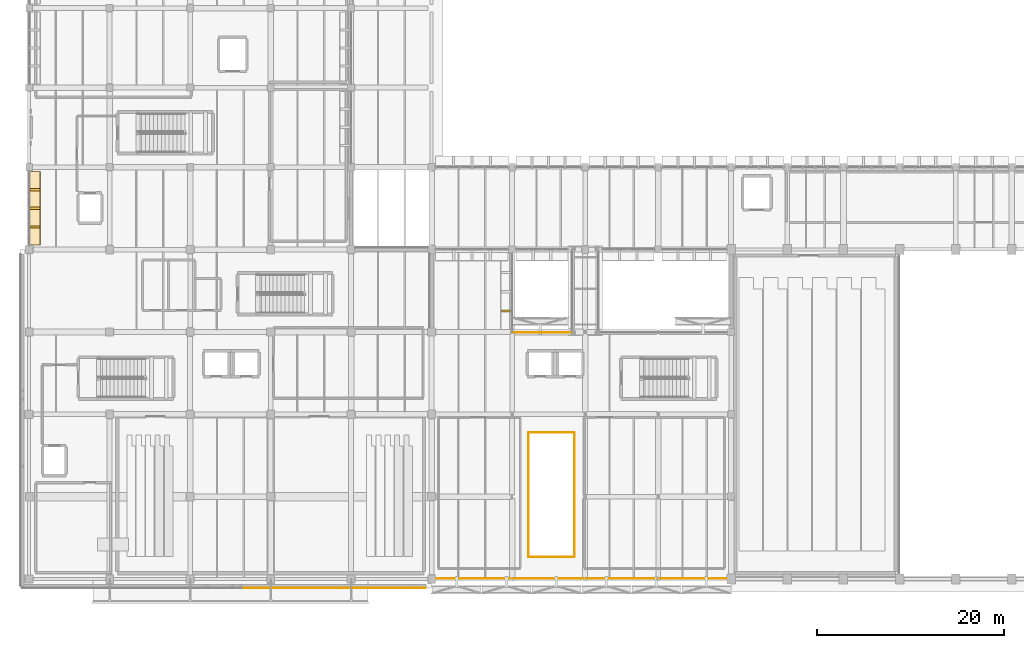
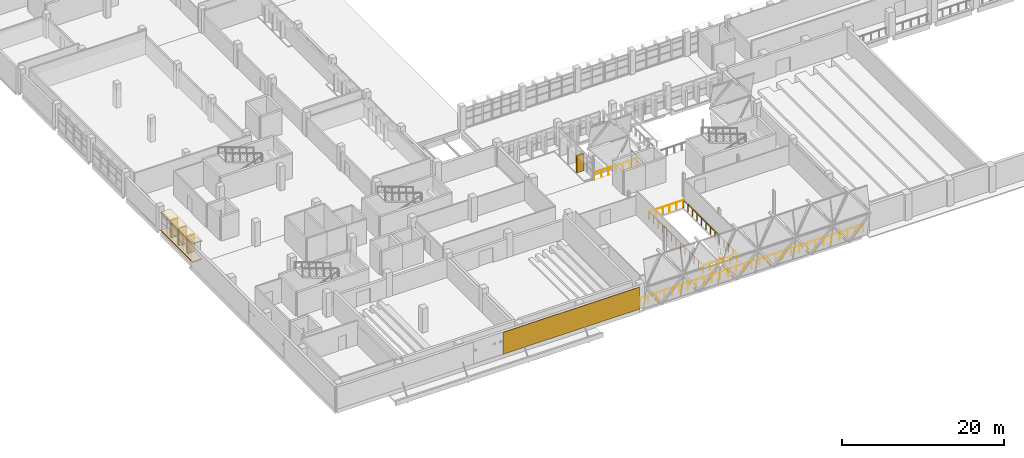
# One storey, part 71 of 80: 6 railings, 4 shading devices, 3 coverings.
"""IFC4 building model written with IfcOpenShell, lengths in metres."""

from ifc_helpers import new_model, si_unit, direction, frame, origin, origin_2d, place, context, subcontext, project, spatial, polyline, rectangle, circle, outline, extrude, material, layer, layer_set, type_object, element, save


model = new_model("IFC4")

# Units and contexts
model_context = context("Model", 3, precision=1e-05, world=origin(), true_north=direction((0.0, 1.0)))
body_context = subcontext(model_context, "Body", "Model", "MODEL_VIEW")
ifc_project = project(units=[si_unit("LENGTHUNIT", "METRE"), si_unit("AREAUNIT", "SQUARE_METRE"), si_unit("VOLUMEUNIT", "CUBIC_METRE"), si_unit("PLANEANGLEUNIT", "RADIAN"), si_unit("MASSUNIT", "GRAM", prefix="KILO")], contexts=[model_context])

# Site, building, storey
site_placement = place(None, origin())
site = spatial("IfcSite", under=ifc_project, at=site_placement, CompositionType="ELEMENT")
building_placement = place(site_placement, origin())
building = spatial("IfcBuilding", under=site, at=building_placement, Name="Varnakota Cinema and Media Centre", CompositionType="ELEMENT")
storey_placement = place(building_placement, frame((0.0, 0.0, 4.5)))
storey = spatial("IfcBuildingStorey", under=building, at=storey_placement, Name="L01", CompositionType="ELEMENT", Elevation=4.5)

# Coverings
ifc_material_1 = material(Name="Precast concrete M40", Category="concrete")
ifc_layer_1 = layer(ifc_material_1, 0.159912109375)
ifc_layer_set_1 = layer_set([ifc_layer_1], Name="Precast concrete M40")
covering_type_1 = type_object("IfcCoveringType", Name="COV-CHAJJA-160", PredefinedType="CLADDING", material=ifc_layer_set_1)
covering_1_placement = place(storey_placement, frame((0.0, 0.0, 2.72509765625)))
element("IfcCovering", 1, at=covering_1_placement, inside=storey, type_object=covering_type_1, Name="L01 Brutalist chajja overhang V5-W-5", PredefinedType="CLADDING", context=body_context, shape_type="SweptSolid", body=[
    extrude(outline(polyline([(-0.179931640625, 43.56005859375), (-0.179931640625, 35.6650390625), (1.219970703125, 35.6650390625), (1.219970703125, 43.56005859375), (-0.179931640625, 43.56005859375)])), origin(), (0.0, 0.0, 1.0), 0.159912109375),
])
covering_2_placement = place(storey_placement, origin())
element("IfcCovering", 2, at=covering_2_placement, inside=storey, type_object=covering_type_1, Name="L01 brise-soleil base plinth V5-W-5", PredefinedType="CLADDING", context=body_context, shape_type="SweptSolid", body=[
    extrude(outline(polyline([(-0.179931640625, 43.56005859375), (-0.179931640625, 35.6650390625), (1.179931640625, 35.6650390625), (1.179931640625, 43.56005859375), (-0.179931640625, 43.56005859375)])), origin(), (0.0, 0.0, 1.0), 0.159912109375),
])
ifc_material_2 = material(Name="Pale Tandur limestone cladding", Category="masonry")
ifc_layer_2 = layer(ifc_material_2, 0.06005859375)
ifc_layer_set_2 = layer_set([ifc_layer_2], Name="Pale Tandur limestone cladding")
covering_type_2 = type_object("IfcCoveringType", Name="COV-TANDUR-ASHLAR-60", PredefinedType="CLADDING", material=ifc_layer_set_2)
covering_3_placement = place(storey_placement, frame((32.675048828125, -0.945068359375, 0.330078125), z_axis=(0.0, 0.0, 1.0), x_axis=(-1.0, 0.0, 0.0)))
element("IfcCovering", 3, at=covering_3_placement, inside=storey, type_object=covering_type_2, Name="L01 V4 pale Tandur stone left corner ashlar V4-S", PredefinedType="CLADDING", context=body_context, shape_type="SweptSolid", body=[
    extrude(rectangle(XDim=19.449951171875, YDim=0.06005859375, at=origin_2d()), origin(), (0.0, 0.0, 1.0), 3.320068359375),
])

# Railings
ifc_material_3 = material(Name="Anodised golden-bronze steel Grade 350 (E350)", Category="steel")
ifc_layer_3 = layer(ifc_material_3, 0.050048828125)
ifc_layer_set_3 = layer_set([ifc_layer_3], Name="Anodised golden-bronze steel Grade 350 (E350)")
railing_type = type_object("IfcRailingType", Name="RAIL-GUARD-1150", PredefinedType="BALUSTRADE", material=ifc_layer_set_3)
railing_1_placement = place(storey_placement, frame((43.110107421875, 0.080078125, 0.0)))
element("IfcRailing", 4, at=railing_1_placement, inside=storey, type_object=railing_type, Name="L01 guard balustrade GRD-V6GAL-S-L01-1", PredefinedType="BALUSTRADE", context=body_context, shape_type="SweptSolid", body=[
    extrude(circle(Radius=0.02392578125, at=origin_2d()), frame((0.0, 0.0, 1.1259765625), z_axis=(1.0, 0.0, 0.0), x_axis=(0.0, 1.0, 0.0)), (0.0, 0.0, 1.0), 31.77978515625),
    extrude(circle(Radius=0.02099609375, at=origin_2d()), origin(), (0.0, 0.0, 1.0), 1.101806640625),
    extrude(circle(Radius=0.02099609375, at=origin_2d()), frame((1.135009765625, 0.0, 0.0)), (0.0, 0.0, 1.0), 1.101806640625),
    extrude(circle(Radius=0.02099609375, at=origin_2d()), frame((2.27001953125, 0.0, 0.0)), (0.0, 0.0, 1.0), 1.101806640625),
    extrude(circle(Radius=0.02099609375, at=origin_2d()), frame((3.405029296875, 0.0, 0.0)), (0.0, 0.0, 1.0), 1.101806640625),
    extrude(circle(Radius=0.02099609375, at=origin_2d()), frame((4.5400390625, 0.0, 0.0)), (0.0, 0.0, 1.0), 1.101806640625),
    extrude(circle(Radius=0.02099609375, at=origin_2d()), frame((5.675048828125, 0.0, 0.0)), (0.0, 0.0, 1.0), 1.101806640625),
    extrude(circle(Radius=0.02099609375, at=origin_2d()), frame((6.81005859375, 0.0, 0.0)), (0.0, 0.0, 1.0), 1.101806640625),
    extrude(circle(Radius=0.02099609375, at=origin_2d()), frame((7.94482421875, 0.0, 0.0)), (0.0, 0.0, 1.0), 1.101806640625),
    extrude(circle(Radius=0.02099609375, at=origin_2d()), frame((9.079833984375, 0.0, 0.0)), (0.0, 0.0, 1.0), 1.101806640625),
    extrude(circle(Radius=0.02099609375, at=origin_2d()), frame((10.21484375, 0.0, 0.0)), (0.0, 0.0, 1.0), 1.101806640625),
    extrude(circle(Radius=0.02099609375, at=origin_2d()), frame((11.349853515625, 0.0, 0.0)), (0.0, 0.0, 1.0), 1.101806640625),
    extrude(circle(Radius=0.02099609375, at=origin_2d()), frame((12.48486328125, 0.0, 0.0)), (0.0, 0.0, 1.0), 1.101806640625),
    extrude(circle(Radius=0.02099609375, at=origin_2d()), frame((13.619873046875, 0.0, 0.0)), (0.0, 0.0, 1.0), 1.101806640625),
    extrude(circle(Radius=0.02099609375, at=origin_2d()), frame((14.7548828125, 0.0, 0.0)), (0.0, 0.0, 1.0), 1.101806640625),
    extrude(circle(Radius=0.02099609375, at=origin_2d()), frame((15.889892578125, 0.0, 0.0)), (0.0, 0.0, 1.0), 1.101806640625),
    extrude(circle(Radius=0.02099609375, at=origin_2d()), frame((17.02490234375, 0.0, 0.0)), (0.0, 0.0, 1.0), 1.101806640625),
    extrude(circle(Radius=0.02099609375, at=origin_2d()), frame((18.159912109375, 0.0, 0.0)), (0.0, 0.0, 1.0), 1.101806640625),
    extrude(circle(Radius=0.02099609375, at=origin_2d()), frame((19.294921875, 0.0, 0.0)), (0.0, 0.0, 1.0), 1.101806640625),
    extrude(circle(Radius=0.02099609375, at=origin_2d()), frame((20.429931640625, 0.0, 0.0)), (0.0, 0.0, 1.0), 1.101806640625),
    extrude(circle(Radius=0.02099609375, at=origin_2d()), frame((21.56494140625, 0.0, 0.0)), (0.0, 0.0, 1.0), 1.101806640625),
    extrude(circle(Radius=0.02099609375, at=origin_2d()), frame((22.699951171875, 0.0, 0.0)), (0.0, 0.0, 1.0), 1.101806640625),
    extrude(circle(Radius=0.02099609375, at=origin_2d()), frame((23.8349609375, 0.0, 0.0)), (0.0, 0.0, 1.0), 1.101806640625),
    extrude(circle(Radius=0.02099609375, at=origin_2d()), frame((24.9697265625, 0.0, 0.0)), (0.0, 0.0, 1.0), 1.101806640625),
    extrude(circle(Radius=0.02099609375, at=origin_2d()), frame((26.104736328125, 0.0, 0.0)), (0.0, 0.0, 1.0), 1.101806640625),
    extrude(circle(Radius=0.02099609375, at=origin_2d()), frame((27.23974609375, 0.0, 0.0)), (0.0, 0.0, 1.0), 1.101806640625),
    extrude(circle(Radius=0.02099609375, at=origin_2d()), frame((28.374755859375, 0.0, 0.0)), (0.0, 0.0, 1.0), 1.101806640625),
    extrude(circle(Radius=0.02099609375, at=origin_2d()), frame((29.509765625, 0.0, 0.0)), (0.0, 0.0, 1.0), 1.101806640625),
    extrude(circle(Radius=0.02099609375, at=origin_2d()), frame((30.644775390625, 0.0, 0.0)), (0.0, 0.0, 1.0), 1.101806640625),
    extrude(circle(Radius=0.02099609375, at=origin_2d()), frame((31.77978515625, 0.0, 0.0)), (0.0, 0.0, 1.0), 1.101806640625),
])
railing_2_placement = place(storey_placement, frame((51.679931640625, 26.320068359375, 0.0)))
element("IfcRailing", 5, at=railing_2_placement, inside=storey, type_object=railing_type, Name="L01 guard balustrade GRD-V6GAL-N1-L01-1", PredefinedType="BALUSTRADE", context=body_context, shape_type="SweptSolid", body=[
    extrude(circle(Radius=0.02392578125, at=origin_2d()), frame((0.0, 0.0, 1.1259765625), z_axis=(1.0, 0.0, 0.0), x_axis=(0.0, 1.0, 0.0)), (0.0, 0.0, 1.0), 6.14013671875),
    extrude(circle(Radius=0.02099609375, at=origin_2d()), origin(), (0.0, 0.0, 1.0), 1.101806640625),
    extrude(circle(Radius=0.02099609375, at=origin_2d()), frame((1.0234375, 0.0, 0.0)), (0.0, 0.0, 1.0), 1.101806640625),
    extrude(circle(Radius=0.02099609375, at=origin_2d()), frame((2.046630859375, 0.0, 0.0)), (0.0, 0.0, 1.0), 1.101806640625),
    extrude(circle(Radius=0.02099609375, at=origin_2d()), frame((3.070068359375, 0.0, 0.0)), (0.0, 0.0, 1.0), 1.101806640625),
    extrude(circle(Radius=0.02099609375, at=origin_2d()), frame((4.093505859375, 0.0, 0.0)), (0.0, 0.0, 1.0), 1.101806640625),
    extrude(circle(Radius=0.02099609375, at=origin_2d()), frame((5.11669921875, 0.0, 0.0)), (0.0, 0.0, 1.0), 1.101806640625),
    extrude(circle(Radius=0.02099609375, at=origin_2d()), frame((6.14013671875, 0.0, 0.0)), (0.0, 0.0, 1.0), 1.101806640625),
])
railing_3_placement = place(storey_placement, frame((53.3701171875, 2.340087890625, 0.0)))
element("IfcRailing", 6, at=railing_3_placement, inside=storey, type_object=railing_type, Name="L01 guard balustrade GRD-VOID-L01-1-1", PredefinedType="BALUSTRADE", context=body_context, shape_type="SweptSolid", body=[
    extrude(circle(Radius=0.02392578125, at=origin_2d()), frame((0.0, 0.0, 1.1259765625), z_axis=(1.0, 0.0, 0.0), x_axis=(0.0, 1.0, 0.0)), (0.0, 0.0, 1.0), 4.85986328125),
    extrude(circle(Radius=0.02099609375, at=origin_2d()), origin(), (0.0, 0.0, 1.0), 1.101806640625),
    extrude(circle(Radius=0.02099609375, at=origin_2d()), frame((0.971923828125, 0.0, 0.0)), (0.0, 0.0, 1.0), 1.101806640625),
    extrude(circle(Radius=0.02099609375, at=origin_2d()), frame((1.94384765625, 0.0, 0.0)), (0.0, 0.0, 1.0), 1.101806640625),
    extrude(circle(Radius=0.02099609375, at=origin_2d()), frame((2.916015625, 0.0, 0.0)), (0.0, 0.0, 1.0), 1.101806640625),
    extrude(circle(Radius=0.02099609375, at=origin_2d()), frame((3.887939453125, 0.0, 0.0)), (0.0, 0.0, 1.0), 1.101806640625),
    extrude(circle(Radius=0.02099609375, at=origin_2d()), frame((4.85986328125, 0.0, 0.0)), (0.0, 0.0, 1.0), 1.101806640625),
])
railing_4_placement = place(storey_placement, frame((58.260009765625, 2.3701171875, 0.0)))
element("IfcRailing", 7, at=railing_4_placement, inside=storey, type_object=railing_type, Name="L01 guard balustrade GRD-VOID-L01-1-2", PredefinedType="BALUSTRADE", context=body_context, shape_type="SweptSolid", body=[
    extrude(circle(Radius=0.02392578125, at=origin_2d()), frame((0.0, 0.0, 1.1259765625), z_axis=(0.0, 1.0, 0.0), x_axis=(-1.0, 0.0, 0.0)), (0.0, 0.0, 1.0), 13.259765625),
    extrude(circle(Radius=0.02099609375, at=origin_2d()), origin(), (0.0, 0.0, 1.0), 1.101806640625),
    extrude(circle(Radius=0.02099609375, at=origin_2d()), frame((0.0, 1.10498046875, 0.0)), (0.0, 0.0, 1.0), 1.101806640625),
    extrude(circle(Radius=0.02099609375, at=origin_2d()), frame((0.0, 2.2099609375, 0.0)), (0.0, 0.0, 1.0), 1.101806640625),
    extrude(circle(Radius=0.02099609375, at=origin_2d()), frame((0.0, 3.31494140625, 0.0)), (0.0, 0.0, 1.0), 1.101806640625),
    extrude(circle(Radius=0.02099609375, at=origin_2d()), frame((0.0, 4.419921875, 0.0)), (0.0, 0.0, 1.0), 1.101806640625),
    extrude(circle(Radius=0.02099609375, at=origin_2d()), frame((0.0, 5.52490234375, 0.0)), (0.0, 0.0, 1.0), 1.101806640625),
    extrude(circle(Radius=0.02099609375, at=origin_2d()), frame((0.0, 6.6298828125, 0.0)), (0.0, 0.0, 1.0), 1.101806640625),
    extrude(circle(Radius=0.02099609375, at=origin_2d()), frame((0.0, 7.73486328125, 0.0)), (0.0, 0.0, 1.0), 1.101806640625),
    extrude(circle(Radius=0.02099609375, at=origin_2d()), frame((0.0, 8.83984375, 0.0)), (0.0, 0.0, 1.0), 1.101806640625),
    extrude(circle(Radius=0.02099609375, at=origin_2d()), frame((0.0, 9.94482421875, 0.0)), (0.0, 0.0, 1.0), 1.101806640625),
    extrude(circle(Radius=0.02099609375, at=origin_2d()), frame((0.0, 11.0498046875, 0.0)), (0.0, 0.0, 1.0), 1.101806640625),
    extrude(circle(Radius=0.02099609375, at=origin_2d()), frame((0.0, 12.15478515625, 0.0)), (0.0, 0.0, 1.0), 1.101806640625),
    extrude(circle(Radius=0.02099609375, at=origin_2d()), frame((0.0, 13.259765625, 0.0)), (0.0, 0.0, 1.0), 1.101806640625),
])
railing_5_placement = place(storey_placement, frame((58.22998046875, 15.659912109375, 0.0)))
element("IfcRailing", 8, at=railing_5_placement, inside=storey, type_object=railing_type, Name="L01 guard balustrade GRD-VOID-L01-1-3", PredefinedType="BALUSTRADE", context=body_context, shape_type="SweptSolid", body=[
    extrude(circle(Radius=0.02392578125, at=origin_2d()), frame((0.0, 0.0, 1.1259765625), z_axis=(-1.0, 0.0, 0.0), x_axis=(0.0, -1.0, 0.0)), (0.0, 0.0, 1.0), 4.85986328125),
    extrude(circle(Radius=0.02099609375, at=origin_2d()), origin(), (0.0, 0.0, 1.0), 1.101806640625),
    extrude(circle(Radius=0.02099609375, at=origin_2d()), frame((-0.971923828125, 0.0, 0.0)), (0.0, 0.0, 1.0), 1.101806640625),
    extrude(circle(Radius=0.02099609375, at=origin_2d()), frame((-1.94384765625, 0.0, 0.0)), (0.0, 0.0, 1.0), 1.101806640625),
    extrude(circle(Radius=0.02099609375, at=origin_2d()), frame((-2.916015625, 0.0, 0.0)), (0.0, 0.0, 1.0), 1.101806640625),
    extrude(circle(Radius=0.02099609375, at=origin_2d()), frame((-3.887939453125, 0.0, 0.0)), (0.0, 0.0, 1.0), 1.101806640625),
    extrude(circle(Radius=0.02099609375, at=origin_2d()), frame((-4.85986328125, 0.0, 0.0)), (0.0, 0.0, 1.0), 1.101806640625),
])
railing_6_placement = place(storey_placement, frame((53.340087890625, 15.6298828125, 0.0)))
element("IfcRailing", 9, at=railing_6_placement, inside=storey, type_object=railing_type, Name="L01 guard balustrade GRD-VOID-L01-1-4", PredefinedType="BALUSTRADE", context=body_context, shape_type="SweptSolid", body=[
    extrude(circle(Radius=0.02392578125, at=origin_2d()), frame((0.0, 0.0, 1.1259765625), z_axis=(0.0, -1.0, 0.0), x_axis=(1.0, 0.0, 0.0)), (0.0, 0.0, 1.0), 13.259765625),
    extrude(circle(Radius=0.02099609375, at=origin_2d()), origin(), (0.0, 0.0, 1.0), 1.101806640625),
    extrude(circle(Radius=0.02099609375, at=origin_2d()), frame((0.0, -1.10498046875, 0.0)), (0.0, 0.0, 1.0), 1.101806640625),
    extrude(circle(Radius=0.02099609375, at=origin_2d()), frame((0.0, -2.2099609375, 0.0)), (0.0, 0.0, 1.0), 1.101806640625),
    extrude(circle(Radius=0.02099609375, at=origin_2d()), frame((0.0, -3.31494140625, 0.0)), (0.0, 0.0, 1.0), 1.101806640625),
    extrude(circle(Radius=0.02099609375, at=origin_2d()), frame((0.0, -4.419921875, 0.0)), (0.0, 0.0, 1.0), 1.101806640625),
    extrude(circle(Radius=0.02099609375, at=origin_2d()), frame((0.0, -5.52490234375, 0.0)), (0.0, 0.0, 1.0), 1.101806640625),
    extrude(circle(Radius=0.02099609375, at=origin_2d()), frame((0.0, -6.6298828125, 0.0)), (0.0, 0.0, 1.0), 1.101806640625),
    extrude(circle(Radius=0.02099609375, at=origin_2d()), frame((0.0, -7.73486328125, 0.0)), (0.0, 0.0, 1.0), 1.101806640625),
    extrude(circle(Radius=0.02099609375, at=origin_2d()), frame((0.0, -8.83984375, 0.0)), (0.0, 0.0, 1.0), 1.101806640625),
    extrude(circle(Radius=0.02099609375, at=origin_2d()), frame((0.0, -9.94482421875, 0.0)), (0.0, 0.0, 1.0), 1.101806640625),
    extrude(circle(Radius=0.02099609375, at=origin_2d()), frame((0.0, -11.0498046875, 0.0)), (0.0, 0.0, 1.0), 1.101806640625),
    extrude(circle(Radius=0.02099609375, at=origin_2d()), frame((0.0, -12.15478515625, 0.0)), (0.0, 0.0, 1.0), 1.101806640625),
    extrude(circle(Radius=0.02099609375, at=origin_2d()), frame((0.0, -13.259765625, 0.0)), (0.0, 0.0, 1.0), 1.101806640625),
])

# Shading devices
ifc_material_4 = material(Name="Precast concrete M40", Category="concrete")
shading_device_type = type_object("IfcShadingDeviceType", Name="SHD-BRISE-FIN-240", PredefinedType="JALOUSIE", material=ifc_material_4)
shading_device_placement = place(storey_placement, frame((50.969970703125, 28.627685546875, 0.14990234375), z_axis=(0.0, 0.0, 1.0), x_axis=(0.0, 1.0, 0.0)))
element("IfcShadingDevice", 10, at=shading_device_placement, inside=storey, type_object=shading_device_type, Name="L01 vertical concrete brise-soleil fin WLINK-E-1.1", PredefinedType="JALOUSIE", context=body_context, shape_type="SweptSolid", body=[
    extrude(rectangle(XDim=0.239990234375, YDim=1.02001953125, at=origin_2d()), origin(), (0.0, 0.0, 1.0), 2.534912109375),
])
for number, where, z_axis, x_axis, name in (
    (11, (0.6298828125, 41.606201171875, 0.14990234375), (0.0, 0.0, 1.0), (0.0, -1.0, 0.0), "L01 vertical concrete brise-soleil fin V5-W-5.1"),
    (12, (0.6298828125, 39.612548828125, 0.14990234375), (0.0, 0.0, 1.0), (0.0, -1.0, 0.0), "L01 vertical concrete brise-soleil fin V5-W-5.2"),
    (13, (0.6298828125, 37.61865234375, 0.14990234375), (0.0, 0.0, 1.0), (0.0, -1.0, 0.0), "L01 vertical concrete brise-soleil fin V5-W-5.3"),
):
    element("IfcShadingDevice", number, at=place(storey_placement, frame(where, z_axis=z_axis, x_axis=x_axis)), inside=storey, type_object=shading_device_type, Name=name, PredefinedType="JALOUSIE", context=body_context, shape_type="SweptSolid", body=[
        extrude(rectangle(XDim=0.239990234375, YDim=1.02001953125, at=origin_2d()), origin(), (0.0, 0.0, 1.0), 2.5849609375),
    ])

save(model, "model.ifc")
